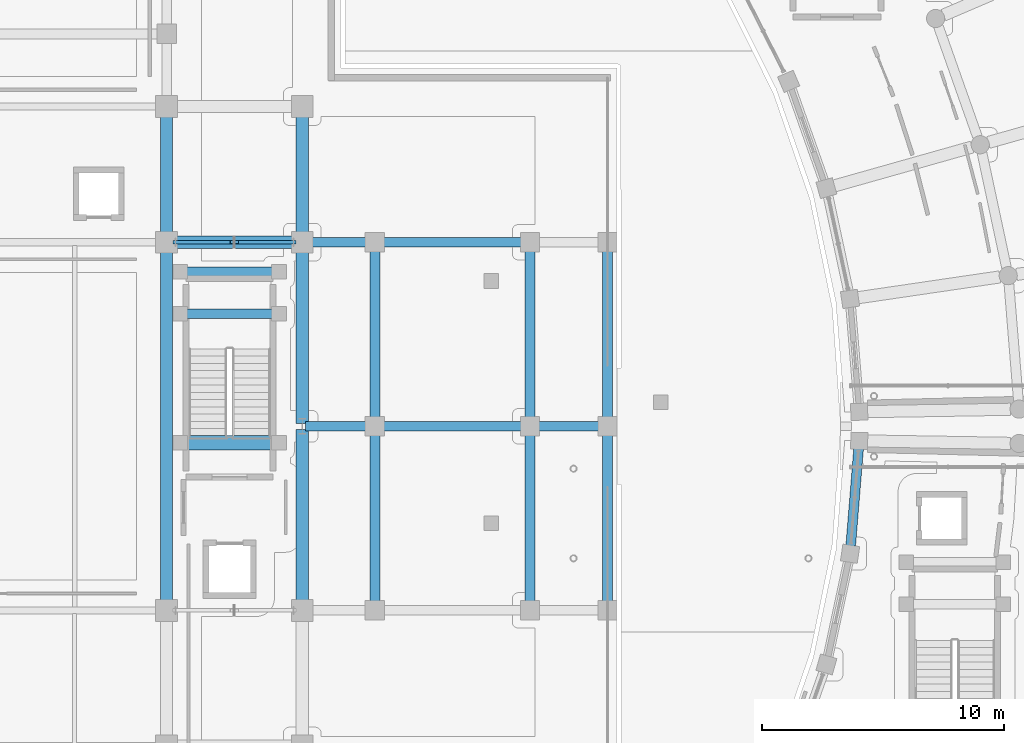
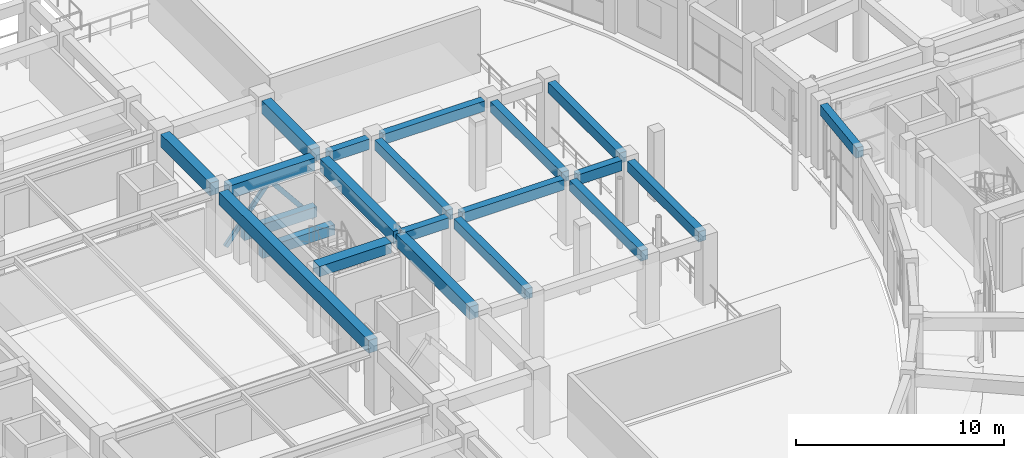
# One storey, part 35 of 87: 21 beams, 2 members.
"""IFC4 building model written with IfcOpenShell, lengths in metres."""

from ifc_helpers import new_model, si_unit, direction, frame, origin, origin_2d, place, context, subcontext, project, spatial, rectangle, hollow_rectangle, extrude, material, material_profile, profile_set, type_object, element, save


model = new_model("IFC4")

# Units and contexts
model_context = context("Model", 3, precision=1e-05, world=origin(), true_north=direction((0.0, 1.0)))
body_context = subcontext(model_context, "Body", "Model", "MODEL_VIEW")
ifc_project = project(units=[si_unit("LENGTHUNIT", "METRE"), si_unit("AREAUNIT", "SQUARE_METRE"), si_unit("VOLUMEUNIT", "CUBIC_METRE"), si_unit("PLANEANGLEUNIT", "RADIAN"), si_unit("MASSUNIT", "GRAM", prefix="KILO")], contexts=[model_context])

# Site, building, storey
site_placement = place(None, origin())
site = spatial("IfcSite", under=ifc_project, at=site_placement, CompositionType="ELEMENT")
building_placement = place(site_placement, origin())
building = spatial("IfcBuilding", under=site, at=building_placement, Name="Saryqyr Civic Hall", CompositionType="ELEMENT")
storey_placement = place(building_placement, frame((0.0, 0.0, 5.10009765625)))
storey = spatial("IfcBuildingStorey", under=building, at=storey_placement, Name="L01", CompositionType="ELEMENT", Elevation=5.10009765625)

# Beams
ifc_material_1 = material(Name="Concrete C35/45", Category="concrete")
ifc_material_profile_1 = material_profile(ifc_material_1, rectangle(XDim=0.39990234375, YDim=0.60009765625, at=origin_2d()), Name="RC 400x600")
ifc_profile_set_1 = profile_set([ifc_material_profile_1], Name="Concrete C35/45")
beam_type_1 = type_object("IfcBeamType", Name="STR-BM-RC400x600", PredefinedType="BEAM", material=ifc_profile_set_1)
beam_1_placement = place(storey_placement, frame((79.97509765625, 84.0, 3.469970703125), z_axis=(1.0, 0.0, 0.0), x_axis=(0.0, 1.0, 0.0)))
element("IfcBeam", 1, at=beam_1_placement, inside=storey, type_object=beam_type_1, Name="Beam V1-TBM-05-L01", PredefinedType="BEAM", context=body_context, shape_type="SweptSolid", body=[
    extrude(rectangle(XDim=0.39990234375, YDim=0.60009765625, at=origin_2d()), origin(), (0.0, 0.0, 1.0), 2.449951171875),
])
for number, where, z_axis, x_axis, name in (
    (2, (82.800048828125, 76.77490234375, 3.469970703125), (0.0, 1.0, 0.0), (-1.0, 0.0, 0.0), "Beam V1-TBM-15-L01"),
    (3, (82.800048828125, 84.375, 3.469970703125), (0.0, 1.0, 0.0), (-1.0, 0.0, 0.0), "Beam V1-TBM-16-L01"),
):
    element("IfcBeam", number, at=place(storey_placement, frame(where, z_axis=z_axis, x_axis=x_axis)), inside=storey, type_object=beam_type_1, Name=name, PredefinedType="BEAM", context=body_context, shape_type="SweptSolid", body=[
        extrude(rectangle(XDim=0.39990234375, YDim=0.60009765625, at=origin_2d()), origin(), (0.0, 0.0, 1.0), 6.85009765625),
    ])
for number, where, z_axis, x_axis, name in (
    (4, (73.574951171875, 84.0, 3.469970703125), (1.0, 0.0, 0.0), (0.0, 1.0, 0.0), "Beam V1-TBM-25-L01"),
    (5, (73.574951171875, 91.60009765625, 3.469970703125), (1.0, 0.0, 0.0), (0.0, 1.0, 0.0), "Beam V1-TBM-26-L01"),
):
    element("IfcBeam", number, at=place(storey_placement, frame(where, z_axis=z_axis, x_axis=x_axis)), inside=storey, type_object=beam_type_1, Name=name, PredefinedType="BEAM", context=body_context, shape_type="SweptSolid", body=[
        extrude(rectangle(XDim=0.39990234375, YDim=0.60009765625, at=origin_2d()), origin(), (0.0, 0.0, 1.0), 5.650146484375),
    ])
for number, where, z_axis, x_axis, name in (
    (6, (79.60009765625, 76.77490234375, 3.469970703125), (0.0, 1.0, 0.0), (-1.0, 0.0, 0.0), "Beam V1-TBM-35-L01"),
    (7, (79.60009765625, 84.375, 3.469970703125), (0.0, 1.0, 0.0), (-1.0, 0.0, 0.0), "Beam V1-TBM-36-L01"),
):
    element("IfcBeam", number, at=place(storey_placement, frame(where, z_axis=z_axis, x_axis=x_axis)), inside=storey, type_object=beam_type_1, Name=name, PredefinedType="BEAM", context=body_context, shape_type="SweptSolid", body=[
        extrude(rectangle(XDim=0.39990234375, YDim=0.60009765625, at=origin_2d()), origin(), (0.0, 0.0, 1.0), 6.85009765625),
    ])
beam_2_placement = place(storey_placement, frame((70.324951171875, 84.0, 3.469970703125), z_axis=(1.0, 0.0, 0.0), x_axis=(0.0, 1.0, 0.0)))
element("IfcBeam", 8, at=beam_2_placement, inside=storey, type_object=beam_type_1, Name="Beam V1-TBM-45-L01", PredefinedType="BEAM", context=body_context, shape_type="SweptSolid", body=[
    extrude(rectangle(XDim=0.39990234375, YDim=0.60009765625, at=origin_2d()), origin(), (0.0, 0.0, 1.0), 2.5),
])
beam_3_placement = place(storey_placement, frame((70.625, 91.60009765625, 3.469970703125), z_axis=(1.0, 0.0, 0.0), x_axis=(0.0, 1.0, 0.0)))
element("IfcBeam", 9, at=beam_3_placement, inside=storey, type_object=beam_type_1, Name="Beam V1-TBM-46-L01", PredefinedType="BEAM", context=body_context, shape_type="SweptSolid", body=[
    extrude(rectangle(XDim=0.39990234375, YDim=0.60009765625, at=origin_2d()), origin(), (0.0, 0.0, 1.0), 2.199951171875),
])
for number, where, z_axis, x_axis, name in (
    (10, (73.199951171875, 76.77490234375, 3.469970703125), (0.0, 1.0, 0.0), (-1.0, 0.0, 0.0), "Beam V1-TBM-53-L01"),
    (11, (73.199951171875, 84.375, 3.469970703125), (0.0, 1.0, 0.0), (-1.0, 0.0, 0.0), "Beam V1-TBM-54-L01"),
):
    element("IfcBeam", number, at=place(storey_placement, frame(where, z_axis=z_axis, x_axis=x_axis)), inside=storey, type_object=beam_type_1, Name=name, PredefinedType="BEAM", context=body_context, shape_type="SweptSolid", body=[
        extrude(rectangle(XDim=0.39990234375, YDim=0.60009765625, at=origin_2d()), origin(), (0.0, 0.0, 1.0), 6.85009765625),
    ])
for number, where, z_axis, x_axis, name in (
    (12, (69.199951171875, 88.64990234375, 1.52490234375), (-1.0, 0.0, 0.0), (0.0, -1.0, 0.0), "Stair half-landing support beam ST-2-LND1-L01"),
    (13, (69.199951171875, 90.3798828125, 1.52490234375), (-1.0, 0.0, 0.0), (0.0, -1.0, 0.0), "Stair half-landing support beam ST-2-LND2-L01"),
):
    element("IfcBeam", number, at=place(storey_placement, frame(where, z_axis=z_axis, x_axis=x_axis)), inside=storey, type_object=beam_type_1, Name=name, PredefinedType="BEAM", context=body_context, shape_type="SweptSolid", body=[
        extrude(rectangle(XDim=0.39990234375, YDim=0.60009765625, at=origin_2d()), origin(), (0.0, 0.0, 1.0), 4.0),
    ])
ifc_material_profile_2 = material_profile(ifc_material_1, rectangle(XDim=0.39990234375, YDim=0.60009765625, at=origin_2d()), Name="RC 400x600")
ifc_profile_set_2 = profile_set([ifc_material_profile_2], Name="Concrete C35/45")
beam_type_2 = type_object("IfcBeamType", Name="STR-BM-RC400x600-EXT", PredefinedType="BEAM", material=ifc_profile_set_2)
beam_4_placement = place(storey_placement, frame((92.84228515625, 79.063720703125, 3.469970703125), z_axis=(0.08108781834, 0.996706960805, 0.0), x_axis=(-0.996706960805, 0.08108781834, 0.0)))
element("IfcBeam", 14, at=beam_4_placement, inside=storey, type_object=beam_type_2, Name="Beam V5-CBM-IN09-L01", PredefinedType="BEAM", context=body_context, shape_type="SweptSolid", body=[
    extrude(rectangle(XDim=0.39990234375, YDim=0.60009765625, at=origin_2d()), origin(), (0.0, 0.0, 1.0), 4.025390625),
])
ifc_material_2 = material(Name="Concrete C40/50", Category="concrete")
ifc_material_profile_3 = material_profile(ifc_material_2, rectangle(XDim=0.5, YDim=0.75, at=origin_2d()), Name="RC 500x750")
ifc_profile_set_3 = profile_set([ifc_material_profile_3], Name="Concrete C40/50")
beam_type_3 = type_object("IfcBeamType", Name="STR-BM-RC500x750", PredefinedType="BEAM", material=ifc_profile_set_3)
beam_5_placement = place(storey_placement, frame((65.02490234375, 91.60009765625, 3.39501953125), z_axis=(1.0, 0.0, 0.0), x_axis=(0.0, 1.0, 0.0)))
element("IfcBeam", 15, at=beam_5_placement, inside=storey, type_object=beam_type_3, Name="Beam V1-WBM-E3-L01", PredefinedType="BEAM", context=body_context, shape_type="SweptSolid", body=[
    extrude(rectangle(XDim=0.5, YDim=0.75, at=origin_2d()), origin(), (0.0, 0.0, 1.0), 4.75),
])
beam_6_placement = place(storey_placement, frame((64.60009765625, 76.824951171875, 3.39501953125), z_axis=(0.0, 1.0, 0.0), x_axis=(-1.0, 0.0, 0.0)))
element("IfcBeam", 16, at=beam_6_placement, inside=storey, type_object=beam_type_3, Name="Beam V1-BM-NS32-L01", PredefinedType="BEAM", context=body_context, shape_type="SweptSolid", body=[
    extrude(rectangle(XDim=0.5, YDim=0.75, at=origin_2d()), origin(), (0.0, 0.0, 1.0), 14.35009765625),
])
beam_7_placement = place(storey_placement, frame((64.60009765625, 92.02490234375, 3.39501953125), z_axis=(0.0, 1.0, 0.0), x_axis=(-1.0, 0.0, 0.0)))
element("IfcBeam", 17, at=beam_7_placement, inside=storey, type_object=beam_type_3, Name="Beam V1-BM-NS33-L01", PredefinedType="BEAM", context=body_context, shape_type="SweptSolid", body=[
    extrude(rectangle(XDim=0.5, YDim=0.75, at=origin_2d()), origin(), (0.0, 0.0, 1.0), 4.75),
])
for number, where, z_axis, x_axis, name in (
    (18, (70.199951171875, 76.824951171875, 3.39501953125), (0.0, 1.0, 0.0), (-1.0, 0.0, 0.0), "Beam V1-BM-NS4A-L01"),
    (19, (70.199951171875, 84.125, 3.39501953125), (0.0, 1.0, 0.0), (-1.0, 0.0, 0.0), "Beam V1-BM-NS4B-L01"),
):
    element("IfcBeam", number, at=place(storey_placement, frame(where, z_axis=z_axis, x_axis=x_axis)), inside=storey, type_object=beam_type_3, Name=name, PredefinedType="BEAM", context=body_context, shape_type="SweptSolid", body=[
        extrude(rectangle(XDim=0.5, YDim=0.75, at=origin_2d()), origin(), (0.0, 0.0, 1.0), 7.050048828125),
    ])
beam_8_placement = place(storey_placement, frame((70.199951171875, 92.02490234375, 3.39501953125), z_axis=(0.0, 1.0, 0.0), x_axis=(-1.0, 0.0, 0.0)))
element("IfcBeam", 20, at=beam_8_placement, inside=storey, type_object=beam_type_3, Name="Beam V1-BM-NS43-L01", PredefinedType="BEAM", context=body_context, shape_type="SweptSolid", body=[
    extrude(rectangle(XDim=0.5, YDim=0.75, at=origin_2d()), origin(), (0.0, 0.0, 1.0), 4.75),
])
ifc_material_profile_4 = material_profile(ifc_material_2, rectangle(XDim=0.60009765625, YDim=0.60009765625, at=origin_2d()), Name="RC 600x600")
ifc_profile_set_4 = profile_set([ifc_material_profile_4], Name="Concrete C40/50")
beam_type_4 = type_object("IfcBeamType", Name="STR-BM-RC600x600", PredefinedType="BEAM", material=ifc_profile_set_4)
beam_9_placement = place(storey_placement, frame((69.199951171875, 83.31494140625, 3.75), z_axis=(-1.0, 0.0, 0.0), x_axis=(0.0, -1.0, 0.0)))
element("IfcBeam", 21, at=beam_9_placement, inside=storey, type_object=beam_type_4, Name="Stair well trimmer beam ST-2-L02", PredefinedType="BEAM", context=body_context, shape_type="SweptSolid", body=[
    extrude(rectangle(XDim=0.60009765625, YDim=0.60009765625, at=origin_2d()), origin(), (0.0, 0.0, 1.0), 4.0),
])

# Members
ifc_material_3 = material(Name="Steel S355", Category="steel")
ifc_material_profile_5 = material_profile(ifc_material_3, hollow_rectangle(XDim=0.14990234375, YDim=0.25, WallThickness=0.012451171875, at=origin_2d()), Name="RHS 250x150x12.5")
ifc_profile_set_5 = profile_set([ifc_material_profile_5], Name="Steel S355")
member_type = type_object("IfcMemberType", Name="STR-BR-RHS250", PredefinedType="BRACE", material=ifc_profile_set_5)
for number, where, z_axis, x_axis, name in (
    (22, (64.9599609375, 91.60009765625, 0.119873046875), (0.627310953743, 0.0, 0.778768879267), (0.0, 1.0, 0.0), "Seismic chevron brace 4A L01"),
    (23, (69.840087890625, 91.60009765625, 0.119873046875), (-0.627310953743, 0.0, 0.778768879267), (0.0, -1.0, 0.0), "Seismic chevron brace 4B L01"),
):
    element("IfcMember", number, at=place(storey_placement, frame(where, z_axis=z_axis, x_axis=x_axis)), inside=storey, type_object=member_type, Name=name, PredefinedType="BRACE", context=body_context, shape_type="SweptSolid", body=[
        extrude(hollow_rectangle(XDim=0.14990234375, YDim=0.25, WallThickness=0.012451171875, at=origin_2d()), origin(), (0.0, 0.0, 1.0), 3.76220703125),
    ])

save(model, "model.ifc")
